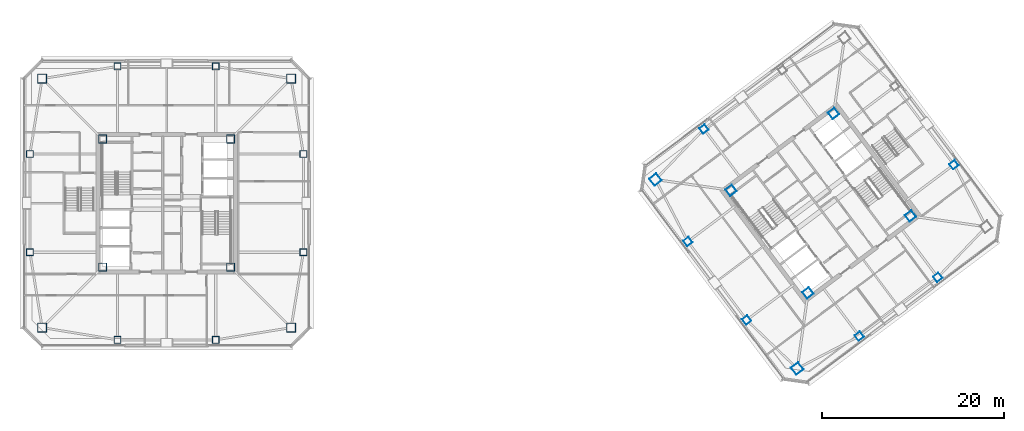
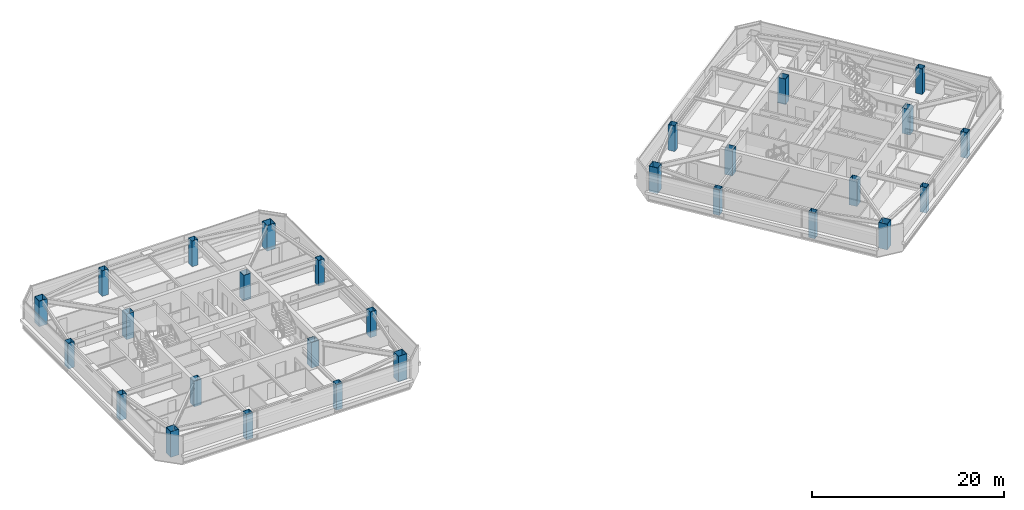
# One storey, part 1 of 39: 28 columns.
"""IFC4 building model written with IfcOpenShell, lengths in metres."""

from ifc_helpers import new_model, si_unit, direction, frame, origin, origin_2d, place, context, subcontext, project, spatial, hollow_rectangle, extrude, material, material_profile, profile_set, type_object, element, save


model = new_model("IFC4")

# Units and contexts
model_context = context("Model", 3, precision=1e-05, world=origin(), true_north=direction((0.0, 1.0)))
body_context = subcontext(model_context, "Body", "Model", "MODEL_VIEW")
ifc_project = project(units=[si_unit("LENGTHUNIT", "METRE"), si_unit("AREAUNIT", "SQUARE_METRE"), si_unit("VOLUMEUNIT", "CUBIC_METRE"), si_unit("PLANEANGLEUNIT", "RADIAN"), si_unit("MASSUNIT", "GRAM", prefix="KILO")], contexts=[model_context])

# Site, building, storey
site_placement = place(None, origin())
site = spatial("IfcSite", under=ifc_project, at=site_placement, CompositionType="ELEMENT")
building_placement = place(site_placement, origin())
building = spatial("IfcBuilding", under=site, at=building_placement, Name="Tashvorn Skyway Center", CompositionType="ELEMENT")
storey_placement = place(building_placement, frame((0.0, 0.0, 243.25)))
storey = spatial("IfcBuildingStorey", under=building, at=storey_placement, Name="L66", CompositionType="ELEMENT", Elevation=243.25)

# Columns
ifc_material = material(Name="Steel ASTM A572 Grade 50", Category="steel")
ifc_material_profile_1 = material_profile(ifc_material, hollow_rectangle(XDim=1.0, YDim=1.0, WallThickness=0.0400390625, at=origin_2d()), Name="BOX1000x1000x40")
ifc_profile_set_1 = profile_set([ifc_material_profile_1], Name="Steel ASTM A572 Grade 50")
column_type_1 = type_object("IfcColumnType", Name="COL-BOX1000x1000x40", PredefinedType="COLUMN", material=ifc_profile_set_1)
for number, where, z_axis, x_axis, name in (
    (1, (28.300048828125, 18.300048828125, 0.0), (0.0, 0.0, 1.0), (1.0, 0.0, 0.0), "Tower 1 L66 Mega-Column MC-SW"),
    (2, (55.699951171875, 18.300048828125, 0.0), (0.0, 0.0, 1.0), (1.0, 0.0, 0.0), "Tower 1 L66 Mega-Column MC-SE"),
    (3, (55.699951171875, 45.699951171875, 0.0), (0.0, 0.0, 1.0), (1.0, 0.0, 0.0), "Tower 1 L66 Mega-Column MC-NE"),
    (4, (28.300048828125, 45.699951171875, 0.0), (0.0, 0.0, 1.0), (1.0, 0.0, 0.0), "Tower 1 L66 Mega-Column MC-NW"),
    (5, (111.39990234375, 13.800048828125, 0.0), (0.0, 0.0, 1.0), (0.799999996291, 0.600000004945, 0.0), "Tower 2 L66 Mega-Column MC-SW"),
    (6, (95.800048828125, 34.60009765625, 0.0), (0.0, 0.0, 1.0), (0.799999996291, 0.600000004945, 0.0), "Tower 2 L66 Mega-Column MC-NW"),
):
    element("IfcColumn", number, at=place(storey_placement, frame(where, z_axis=z_axis, x_axis=x_axis)), inside=storey, type_object=column_type_1, Name=name, PredefinedType="COLUMN", context=body_context, shape_type="SweptSolid", body=[
        extrude(hollow_rectangle(XDim=1.0, YDim=1.0, WallThickness=0.0400390625, at=origin_2d()), origin(), (0.0, 0.0, 1.0), 3.25),
    ])
ifc_material_profile_2 = material_profile(ifc_material, hollow_rectangle(XDim=0.75, YDim=0.75, WallThickness=0.031982421875, at=origin_2d()), Name="BOX750x750x32")
ifc_profile_set_2 = profile_set([ifc_material_profile_2], Name="Steel ASTM A572 Grade 50")
column_type_2 = type_object("IfcColumnType", Name="COL-BOX750x750x32", PredefinedType="COLUMN", material=ifc_profile_set_2)
for number, where, z_axis, x_axis, name in (
    (7, (36.60009765625, 16.949951171875, 0.0), (0.0, 0.0, 1.0), (1.0, 0.0, 0.0), "Tower 1 L66 Perimeter Column FC-S1"),
    (8, (47.39990234375, 16.949951171875, 0.0), (0.0, 0.0, 1.0), (1.0, 0.0, 0.0), "Tower 1 L66 Perimeter Column FC-S2"),
    (9, (57.050048828125, 26.60009765625, 0.0), (0.0, 0.0, 1.0), (1.0, 0.0, 0.0), "Tower 1 L66 Perimeter Column FC-E1"),
    (10, (57.050048828125, 37.39990234375, 0.0), (0.0, 0.0, 1.0), (1.0, 0.0, 0.0), "Tower 1 L66 Perimeter Column FC-E2"),
    (11, (47.39990234375, 47.050048828125, 0.0), (0.0, 0.0, 1.0), (1.0, 0.0, 0.0), "Tower 1 L66 Perimeter Column FC-N1"),
    (12, (36.60009765625, 47.050048828125, 0.0), (0.0, 0.0, 1.0), (1.0, 0.0, 0.0), "Tower 1 L66 Perimeter Column FC-N2"),
    (13, (26.949951171875, 37.39990234375, 0.0), (0.0, 0.0, 1.0), (1.0, 0.0, 0.0), "Tower 1 L66 Perimeter Column FC-W1"),
    (14, (26.949951171875, 26.60009765625, 0.0), (0.0, 0.0, 1.0), (1.0, 0.0, 0.0), "Tower 1 L66 Perimeter Column FC-W2"),
    (15, (118.22998046875, 17.360107421875, 0.0), (0.0, 0.0, 1.0), (0.799999996291, 0.600000004945, 0.0), "Tower 2 L66 Perimeter Column FC-S1"),
    (16, (126.8701171875, 23.840087890625, 0.0), (0.0, 0.0, 1.0), (0.799999996291, 0.600000004945, 0.0), "Tower 2 L66 Perimeter Column FC-S2"),
    (17, (128.639892578125, 36.22998046875, 0.0), (0.0, 0.0, 1.0), (0.799999996291, 0.600000004945, 0.0), "Tower 2 L66 Perimeter Column FC-E1"),
    (18, (101.1298828125, 40.159912109375, 0.0), (0.0, 0.0, 1.0), (0.799999996291, 0.600000004945, 0.0), "Tower 2 L66 Perimeter Column FC-N2"),
    (19, (99.360107421875, 27.77001953125, 0.0), (0.0, 0.0, 1.0), (0.799999996291, 0.600000004945, 0.0), "Tower 2 L66 Perimeter Column FC-W1"),
    (20, (105.840087890625, 19.1298828125, 0.0), (0.0, 0.0, 1.0), (0.799999996291, 0.600000004945, 0.0), "Tower 2 L66 Perimeter Column FC-W2"),
):
    element("IfcColumn", number, at=place(storey_placement, frame(where, z_axis=z_axis, x_axis=x_axis)), inside=storey, type_object=column_type_2, Name=name, PredefinedType="COLUMN", context=body_context, shape_type="SweptSolid", body=[
        extrude(hollow_rectangle(XDim=0.75, YDim=0.75, WallThickness=0.031982421875, at=origin_2d()), origin(), (0.0, 0.0, 1.0), 3.25),
    ])
ifc_material_profile_3 = material_profile(ifc_material, hollow_rectangle(XDim=0.89990234375, YDim=0.89990234375, WallThickness=0.0400390625, at=origin_2d()), Name="BOX900x900x40")
ifc_profile_set_3 = profile_set([ifc_material_profile_3], Name="Steel ASTM A572 Grade 50")
column_type_3 = type_object("IfcColumnType", Name="COL-BOX900x900x40", PredefinedType="COLUMN", material=ifc_profile_set_3)
for number, where, z_axis, x_axis, name in (
    (21, (34.949951171875, 24.949951171875, 0.0), (0.0, 0.0, 1.0), (1.0, 0.0, 0.0), "Tower 1 L66 Core Corner Column CC-SW"),
    (22, (49.050048828125, 24.949951171875, 0.0), (0.0, 0.0, 1.0), (1.0, 0.0, 0.0), "Tower 1 L66 Core Corner Column CC-SE"),
    (23, (49.050048828125, 39.050048828125, 0.0), (0.0, 0.0, 1.0), (1.0, 0.0, 0.0), "Tower 1 L66 Core Corner Column CC-NE"),
    (24, (34.949951171875, 39.050048828125, 0.0), (0.0, 0.0, 1.0), (1.0, 0.0, 0.0), "Tower 1 L66 Core Corner Column CC-NW"),
    (25, (112.590087890625, 22.1298828125, 0.0), (0.0, 0.0, 1.0), (0.799999996291, 0.600000004945, 0.0), "Tower 2 L66 Core Corner Column CC-SW"),
    (26, (123.8701171875, 30.590087890625, 0.0), (0.0, 0.0, 1.0), (0.799999996291, 0.600000004945, 0.0), "Tower 2 L66 Core Corner Column CC-SE"),
    (27, (115.409912109375, 41.8701171875, 0.0), (0.0, 0.0, 1.0), (0.799999996291, 0.600000004945, 0.0), "Tower 2 L66 Core Corner Column CC-NE"),
    (28, (104.1298828125, 33.409912109375, 0.0), (0.0, 0.0, 1.0), (0.799999996291, 0.600000004945, 0.0), "Tower 2 L66 Core Corner Column CC-NW"),
):
    element("IfcColumn", number, at=place(storey_placement, frame(where, z_axis=z_axis, x_axis=x_axis)), inside=storey, type_object=column_type_3, Name=name, PredefinedType="COLUMN", context=body_context, shape_type="SweptSolid", body=[
        extrude(hollow_rectangle(XDim=0.89990234375, YDim=0.89990234375, WallThickness=0.0400390625, at=origin_2d()), origin(), (0.0, 0.0, 1.0), 3.25),
    ])

save(model, "model.ifc")
